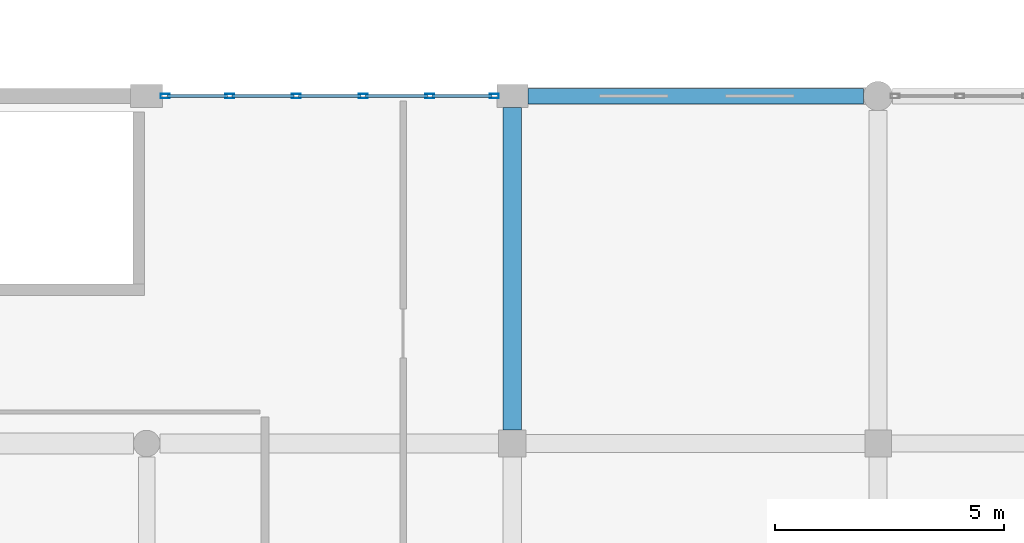
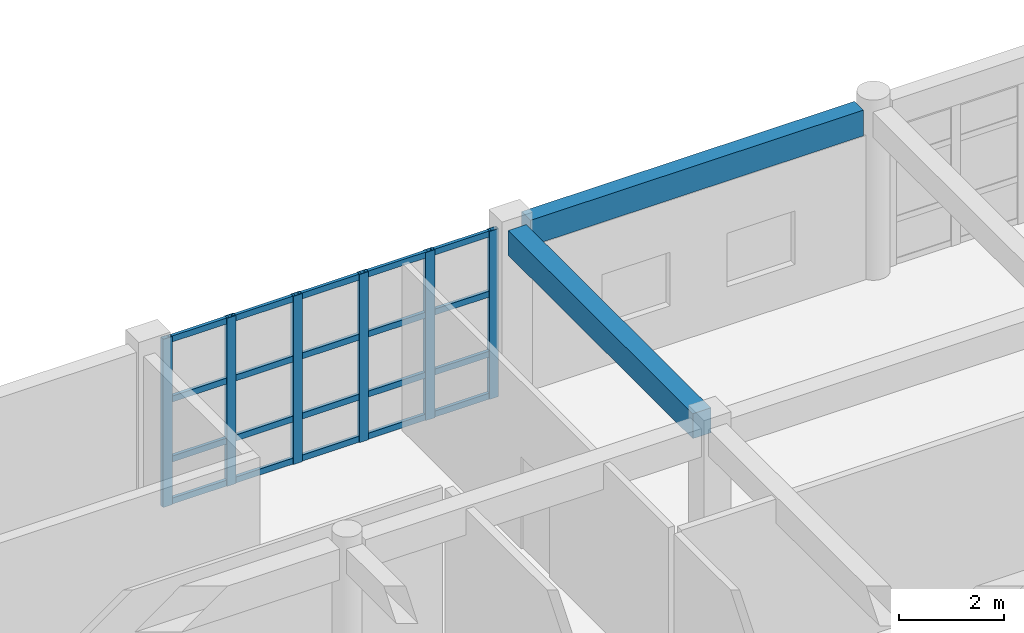
# One storey, part 67 of 121: 26 members, 2 beams, 1 element without a shape of its own.
"""IFC4 building model written with IfcOpenShell, lengths in metres."""

import ifcopenshell
import ifcopenshell.guid

model = None  # the IFC model being written
_history = None  # IfcOwnerHistory: only IFC2X3 demands one
_inside = {}  # id of a spatial element -> (the spatial element, [elements in it])
_under = {}  # id of a project, library or spatial element -> (it, [spatial elements below it])
_declared = {}  # id of a project -> (the project, [libraries it declares])
_typed = {}  # id of a type object -> (the type object, [elements of that type])
_made_of = {}  # id of a material, layer set ... -> (it, [elements and type objects made of it])


def new_model(schema):
    """Start an empty IFC model of exactly this schema.

    Asked for "IFC4X3", IfcOpenShell would pick the latest addendum, in which some entities
    have other attributes; the version numbers below select the first issue.
    IFC2X3 requires an IfcOwnerHistory on every rooted entity: one is made here for all.
    """
    global model, _history
    if schema == "IFC4X3":
        model = ifcopenshell.file(schema_version=(4, 3, 0, 0))
    else:
        model = ifcopenshell.file(schema=schema)
    _inside.clear()
    _under.clear()
    _declared.clear()
    _typed.clear()
    _made_of.clear()
    _history = None
    if model.schema == "IFC2X3":
        org = make("IfcOrganization", Name="unknown")
        user = make(
            "IfcPersonAndOrganization",
            ThePerson=make("IfcPerson", FamilyName="unknown"),
            TheOrganization=org,
        )
        app = make(
            "IfcApplication",
            ApplicationDeveloper=org,
            Version="unknown",
            ApplicationFullName="unknown",
            ApplicationIdentifier="unknown",
        )
        _history = make(
            "IfcOwnerHistory",
            OwningUser=user,
            OwningApplication=app,
            ChangeAction="ADDED",
            CreationDate=0,
        )
    return model


def make(cls, **values):
    """One entity of the class cls with the attributes given. An attribute that is None is left unset."""
    return model.create_entity(
        cls, **{name: value for name, value in values.items() if value is not None}
    )


def rooted(cls, **values):
    """An entity with a GlobalId (a new one), such as an element, a storey or a relation."""
    return make(cls, GlobalId=ifcopenshell.guid.new(), OwnerHistory=_history, **values)


def si_unit(unit_type, name, prefix=None):
    """IfcSIUnit, for example si_unit("LENGTHUNIT", "METRE", prefix="MILLI")."""
    return make("IfcSIUnit", UnitType=unit_type, Prefix=prefix, Name=name)


def assignment(units):
    """IfcUnitAssignment: the units of a project."""
    return None if units is None else make("IfcUnitAssignment", Units=units)


def point(xyz):
    """IfcCartesianPoint."""
    return None if xyz is None else make("IfcCartesianPoint", Coordinates=xyz)


def direction(xyz):
    """IfcDirection."""
    return None if xyz is None else make("IfcDirection", DirectionRatios=xyz)


def frame(location, z_axis=None, x_axis=None):
    """IfcAxis2Placement3D, a coordinate frame: its origin and axes. An axis left out is left unset."""
    return make(
        "IfcAxis2Placement3D",
        Location=point(location),
        Axis=direction(z_axis),
        RefDirection=direction(x_axis),
    )


def frame_2d(location, x_axis=None):
    """IfcAxis2Placement2D, a coordinate frame in the plane: its origin and x axis."""
    return make(
        "IfcAxis2Placement2D", Location=point(location), RefDirection=direction(x_axis)
    )


def origin():
    """The frame at (0, 0, 0) with its axes left unset."""
    return frame((0.0, 0.0, 0.0))


def origin_2d():
    """The frame at (0, 0) in the plane with its x axis left unset."""
    return frame_2d((0.0, 0.0))


def place(relative_to, where):
    """IfcLocalPlacement: puts the frame where relative to a parent placement (None: the world)."""
    return make(
        "IfcLocalPlacement", PlacementRelTo=relative_to, RelativePlacement=where
    )


def context(
    kind, dimensions, precision=None, world=None, true_north=None, identifier=None
):
    """IfcGeometricRepresentationContext, for example the 3D "Model" context."""
    return make(
        "IfcGeometricRepresentationContext",
        ContextIdentifier=identifier,
        ContextType=kind,
        CoordinateSpaceDimension=dimensions,
        Precision=precision,
        WorldCoordinateSystem=world,
        TrueNorth=true_north,
    )


def subcontext(parent, identifier, kind, view, scale=None):
    """IfcGeometricRepresentationSubContext, for example "Body" below "Model"."""
    return make(
        "IfcGeometricRepresentationSubContext",
        ContextIdentifier=identifier,
        ContextType=kind,
        ParentContext=parent,
        TargetScale=scale,
        TargetView=view,
    )


def project(units=None, contexts=None):
    """IfcProject with its units and contexts."""
    return rooted(
        "IfcProject",
        Name="project",
        RepresentationContexts=contexts,
        UnitsInContext=assignment(units),
    )


def spatial(cls, under=None, at=None, **own):
    """A site, building, storey or space (cls), placed at a placement, below another one or the project."""
    s = rooted(cls, ObjectPlacement=at, **own)
    if under is not None:
        _under.setdefault(under.id(), (under, []))[1].append(s)
    return s


def profile(cls, at=None, kind="AREA", **sizes):
    """A parametric profile (cls). Its sizes go by their IFC names, for example OverallWidth=200.0."""
    return make(cls, ProfileType=kind, Position=at, **sizes)


def rectangle(**sizes):
    """IfcRectangleProfileDef."""
    return profile("IfcRectangleProfileDef", **sizes)


def hollow_rectangle(**sizes):
    """IfcRectangleHollowProfileDef."""
    return profile("IfcRectangleHollowProfileDef", **sizes)


def extrude(swept, where, along, depth):
    """IfcExtrudedAreaSolid: the profile swept, set in the frame where, extruded along a direction by depth."""
    return make(
        "IfcExtrudedAreaSolid",
        SweptArea=swept,
        Position=where,
        ExtrudedDirection=direction(along),
        Depth=depth,
    )


def shape(context_of_items, identifier, shape_type, items):
    """IfcShapeRepresentation: the items that make up one representation, for example the "Body"."""
    return make(
        "IfcShapeRepresentation",
        ContextOfItems=context_of_items,
        RepresentationIdentifier=identifier,
        RepresentationType=shape_type,
        Items=items,
    )


def material(Name=None, Category=None):
    """IfcMaterial."""
    return make("IfcMaterial", Name=Name, Category=Category)


def material_profile(
    of_material, cross_section, Name=None, Category=None, Priority=None
):
    """IfcMaterialProfile: a cross section and its material."""
    return make(
        "IfcMaterialProfile",
        Name=Name,
        Material=of_material,
        Profile=cross_section,
        Priority=Priority,
        Category=Category,
    )


def profile_set(profiles, Name=None, composite=None):
    """IfcMaterialProfileSet."""
    return make(
        "IfcMaterialProfileSet",
        Name=Name,
        MaterialProfiles=profiles,
        CompositeProfile=composite,
    )


def made_of(thing, what):
    """Note that an element or type object is made of a material, layer set ...; save() writes the relation."""
    if what is not None:
        _made_of.setdefault(what.id(), (what, []))[1].append(thing)
    return thing


def type_object(cls, material=None, **own):
    """A type object (cls), such as IfcWallType, which elements share."""
    return made_of(rooted(cls, **own), material)


def element(
    cls,
    number,
    at=None,
    inside=None,
    cuts=None,
    type_object=None,
    material=None,
    context=None,
    identifier="Body",
    shape_type=None,
    held_by="IfcProductDefinitionShape",
    body=None,
    shapes=None,
    **own,
):
    """One element of the class cls, such as IfcWall. Its Tag is "e" and its number.

    at: its placement. inside: the storey or other place that contains it. cuts: it is an
    opening in that element (IfcRelVoidsElement). A single representation is given by context,
    identifier, shape_type and body (its items); several are given by shapes. held_by: the class
    of the entity that holds the representations. save() writes the other relations.
    """
    e = rooted(cls, Tag="e%d" % number, ObjectPlacement=at, **own)
    if body is not None:
        shapes = [shape(context, identifier, shape_type, body)]
    if shapes is not None:
        e.Representation = make(held_by, Representations=shapes)
    if inside is not None:
        _inside.setdefault(inside.id(), (inside, []))[1].append(e)
    if cuts is not None:
        rooted(
            "IfcRelVoidsElement", RelatingBuildingElement=cuts, RelatedOpeningElement=e
        )
    if type_object is not None:
        _typed.setdefault(type_object.id(), (type_object, []))[1].append(e)
    return made_of(e, material)


def aggregate(whole, parts):
    """IfcRelAggregates: a whole, such as a stair, and the parts it consists of."""
    return rooted("IfcRelAggregates", RelatingObject=whole, RelatedObjects=parts)


def save(model, path):
    """Write the relations noted so far, then the file.

    IfcRelAggregates (storeys below a building ...), IfcRelContainedInSpatialStructure (elements
    in a storey), IfcRelDefinesByType, IfcRelAssociatesMaterial and IfcRelDeclares: one each for
    every whole, place, type object, material and project.
    """
    for whole, parts in _under.values():
        aggregate(whole, parts)
    for where, things in _inside.values():
        rooted(
            "IfcRelContainedInSpatialStructure",
            RelatedElements=things,
            RelatingStructure=where,
        )
    for kind, things in _typed.values():
        rooted("IfcRelDefinesByType", RelatedObjects=things, RelatingType=kind)
    for what, things in _made_of.values():
        rooted("IfcRelAssociatesMaterial", RelatedObjects=things, RelatingMaterial=what)
    for by, libraries in _declared.values():
        rooted("IfcRelDeclares", RelatingContext=by, RelatedDefinitions=libraries)
    model.write(path)


model = new_model("IFC4")

# Units and contexts
model_context = context("Model", 3, precision=1e-05, world=origin(), true_north=direction((0.0, 1.0)))
body_context = subcontext(model_context, "Body", "Model", "MODEL_VIEW")
ifc_project = project(units=[si_unit("LENGTHUNIT", "METRE"), si_unit("AREAUNIT", "SQUARE_METRE"), si_unit("VOLUMEUNIT", "CUBIC_METRE"), si_unit("PLANEANGLEUNIT", "RADIAN"), si_unit("MASSUNIT", "GRAM", prefix="KILO")], contexts=[model_context])

# Site, building, storey
site_placement = place(None, origin())
site = spatial("IfcSite", under=ifc_project, at=site_placement, CompositionType="ELEMENT")
building_placement = place(site_placement, origin())
building = spatial("IfcBuilding", under=site, at=building_placement, Name="Kharva Crest Polytechnic", CompositionType="ELEMENT")
storey_placement = place(building_placement, frame((0.0, 0.0, 13.199951171875)))
storey = spatial("IfcBuildingStorey", under=building, at=storey_placement, Name="L03", CompositionType="ELEMENT", Elevation=13.199951171875)

# Beam
ifc_material_1 = material(Name="Concrete C35/45", Category="concrete")
ifc_material_profile_1 = material_profile(ifc_material_1, rectangle(XDim=0.39990234375, YDim=0.580078125, at=origin_2d()), Name="RECT 400 X 580")
ifc_profile_set_1 = profile_set([ifc_material_profile_1], Name="Concrete C35/45")
beam_type_1 = type_object("IfcBeamType", Name="BM-RC-400X580", PredefinedType="BEAM", material=ifc_profile_set_1)
beam_1_placement = place(storey_placement, frame((136.800048828125, 23.10009765625, 3.670166015625), z_axis=(0.0, 1.0, 0.0), x_axis=(-1.0, 0.0, 0.0)))
element("IfcBeam", 1, at=beam_1_placement, inside=storey, type_object=beam_type_1, Name="L03 Girder 18/D-E", PredefinedType="BEAM", context=body_context, shape_type="SweptSolid", body=[
    extrude(rectangle(XDim=0.39990234375, YDim=0.580078125, at=origin_2d()), origin(), (0.0, 0.0, 1.0), 7.0498046875),
])

# Curtain wall, members
ifc_material_2 = material(Name="Tempered insulated glass", Category="glass")
curtain_wall_type = type_object("IfcCurtainWallType", Name="CW-SYS-REFECTORY", PredefinedType="USERDEFINED", material=ifc_material_2)
curtain_wall_placement = place(storey_placement, origin())
curtain_wall = element("IfcCurtainWall", 2, at=curtain_wall_placement, inside=storey, type_object=curtain_wall_type, Name="L03 Glazed Curtain Wall CW-144", ObjectType="CURTAIN WALL", PredefinedType="USERDEFINED")
ifc_material_3 = material(Name="Steel S355", Category="steel")
ifc_material_profile_2 = material_profile(ifc_material_3, hollow_rectangle(XDim=0.10009765625, YDim=0.199951171875, WallThickness=0.00634765625, at=origin_2d()), Name="RHS 200X100X6.3")
ifc_profile_set_2 = profile_set([ifc_material_profile_2], Name="Steel S355")
member_type_1 = type_object("IfcMemberType", Name="CWM-RHS200X100", PredefinedType="MULLION", material=ifc_profile_set_2)
member_1_placement = place(storey_placement, frame((136.405029296875, 30.39990234375, 0.0), z_axis=(0.0, 0.0, 1.0), x_axis=(0.0, -1.0, 0.0)))
member_1 = element("IfcMember", 3, at=member_1_placement, type_object=member_type_1, Name="CW-144 mullion 1", PredefinedType="MULLION", context=body_context, shape_type="SweptSolid", body=[
    extrude(hollow_rectangle(XDim=0.10009765625, YDim=0.199951171875, WallThickness=0.00634765625, at=origin_2d()), origin(), (0.0, 0.0, 1.0), 3.920166015625),
])
member_2_placement = place(storey_placement, frame((134.9951171875, 30.39990234375, 0.0), z_axis=(0.0, 0.0, 1.0), x_axis=(0.0, -1.0, 0.0)))
member_2 = element("IfcMember", 4, at=member_2_placement, type_object=member_type_1, Name="CW-144 mullion 2", PredefinedType="MULLION", context=body_context, shape_type="SweptSolid", body=[
    extrude(hollow_rectangle(XDim=0.10009765625, YDim=0.199951171875, WallThickness=0.00634765625, at=origin_2d()), origin(), (0.0, 0.0, 1.0), 3.920166015625),
])
member_3_placement = place(storey_placement, frame((133.534912109375, 30.39990234375, 0.0), z_axis=(0.0, 0.0, 1.0), x_axis=(0.0, -1.0, 0.0)))
member_3 = element("IfcMember", 5, at=member_3_placement, type_object=member_type_1, Name="CW-144 mullion 3", PredefinedType="MULLION", context=body_context, shape_type="SweptSolid", body=[
    extrude(hollow_rectangle(XDim=0.10009765625, YDim=0.199951171875, WallThickness=0.00634765625, at=origin_2d()), origin(), (0.0, 0.0, 1.0), 3.920166015625),
])
member_4_placement = place(storey_placement, frame((132.074951171875, 30.39990234375, 0.0), z_axis=(0.0, 0.0, 1.0), x_axis=(0.0, -1.0, 0.0)))
member_4 = element("IfcMember", 6, at=member_4_placement, type_object=member_type_1, Name="CW-144 mullion 4", PredefinedType="MULLION", context=body_context, shape_type="SweptSolid", body=[
    extrude(hollow_rectangle(XDim=0.10009765625, YDim=0.199951171875, WallThickness=0.00634765625, at=origin_2d()), origin(), (0.0, 0.0, 1.0), 3.920166015625),
])
member_5_placement = place(storey_placement, frame((130.614990234375, 30.39990234375, 0.0), z_axis=(0.0, 0.0, 1.0), x_axis=(0.0, -1.0, 0.0)))
member_5 = element("IfcMember", 7, at=member_5_placement, type_object=member_type_1, Name="CW-144 mullion 5", PredefinedType="MULLION", context=body_context, shape_type="SweptSolid", body=[
    extrude(hollow_rectangle(XDim=0.10009765625, YDim=0.199951171875, WallThickness=0.00634765625, at=origin_2d()), origin(), (0.0, 0.0, 1.0), 3.920166015625),
])
member_6_placement = place(storey_placement, frame((129.205078125, 30.39990234375, 0.0), z_axis=(0.0, 0.0, 1.0), x_axis=(0.0, -1.0, 0.0)))
member_6 = element("IfcMember", 8, at=member_6_placement, type_object=member_type_1, Name="CW-144 mullion 6", PredefinedType="MULLION", context=body_context, shape_type="SweptSolid", body=[
    extrude(hollow_rectangle(XDim=0.10009765625, YDim=0.199951171875, WallThickness=0.00634765625, at=origin_2d()), origin(), (0.0, 0.0, 1.0), 3.920166015625),
])
ifc_material_profile_3 = material_profile(ifc_material_3, hollow_rectangle(XDim=0.070068359375, YDim=0.139892578125, WallThickness=0.00390625, at=origin_2d()), Name="RHS 140X70X4.0")
ifc_profile_set_3 = profile_set([ifc_material_profile_3], Name="Steel S355")
member_type_2 = type_object("IfcMemberType", Name="CWT-RHS140X70", PredefinedType="USERDEFINED", material=ifc_profile_set_3)
member_7_placement = place(storey_placement, frame((136.35498046875, 30.39990234375, 0.070068359375), z_axis=(-1.0, 0.0, 0.0), x_axis=(0.0, -1.0, 0.0)))
member_7 = element("IfcMember", 9, at=member_7_placement, type_object=member_type_2, Name="CW-144 transom 1.1", ObjectType="TRANSOM", PredefinedType="USERDEFINED", context=body_context, shape_type="SweptSolid", body=[
    extrude(hollow_rectangle(XDim=0.070068359375, YDim=0.139892578125, WallThickness=0.00390625, at=origin_2d()), origin(), (0.0, 0.0, 1.0), 1.31005859375),
])
member_8_placement = place(storey_placement, frame((136.35498046875, 30.39990234375, 1.050048828125), z_axis=(-1.0, 0.0, 0.0), x_axis=(0.0, -1.0, 0.0)))
member_8 = element("IfcMember", 10, at=member_8_placement, type_object=member_type_2, Name="CW-144 transom 1.2", ObjectType="TRANSOM", PredefinedType="USERDEFINED", context=body_context, shape_type="SweptSolid", body=[
    extrude(hollow_rectangle(XDim=0.070068359375, YDim=0.139892578125, WallThickness=0.00390625, at=origin_2d()), origin(), (0.0, 0.0, 1.0), 1.31005859375),
])
member_9_placement = place(storey_placement, frame((136.35498046875, 30.39990234375, 2.449951171875), z_axis=(-1.0, 0.0, 0.0), x_axis=(0.0, -1.0, 0.0)))
member_9 = element("IfcMember", 11, at=member_9_placement, type_object=member_type_2, Name="CW-144 transom 1.3", ObjectType="TRANSOM", PredefinedType="USERDEFINED", context=body_context, shape_type="SweptSolid", body=[
    extrude(hollow_rectangle(XDim=0.070068359375, YDim=0.139892578125, WallThickness=0.00390625, at=origin_2d()), origin(), (0.0, 0.0, 1.0), 1.31005859375),
])
member_10_placement = place(storey_placement, frame((136.35498046875, 30.39990234375, 3.85009765625), z_axis=(-1.0, 0.0, 0.0), x_axis=(0.0, -1.0, 0.0)))
member_10 = element("IfcMember", 12, at=member_10_placement, type_object=member_type_2, Name="CW-144 transom 1.4", ObjectType="TRANSOM", PredefinedType="USERDEFINED", context=body_context, shape_type="SweptSolid", body=[
    extrude(hollow_rectangle(XDim=0.070068359375, YDim=0.139892578125, WallThickness=0.00390625, at=origin_2d()), origin(), (0.0, 0.0, 1.0), 1.31005859375),
])
member_11_placement = place(storey_placement, frame((134.945068359375, 30.39990234375, 0.070068359375), z_axis=(-1.0, 0.0, 0.0), x_axis=(0.0, -1.0, 0.0)))
member_11 = element("IfcMember", 13, at=member_11_placement, type_object=member_type_2, Name="CW-144 transom 2.1", ObjectType="TRANSOM", PredefinedType="USERDEFINED", context=body_context, shape_type="SweptSolid", body=[
    extrude(hollow_rectangle(XDim=0.070068359375, YDim=0.139892578125, WallThickness=0.00390625, at=origin_2d()), origin(), (0.0, 0.0, 1.0), 1.360107421875),
])
member_12_placement = place(storey_placement, frame((134.945068359375, 30.39990234375, 1.050048828125), z_axis=(-1.0, 0.0, 0.0), x_axis=(0.0, -1.0, 0.0)))
member_12 = element("IfcMember", 14, at=member_12_placement, type_object=member_type_2, Name="CW-144 transom 2.2", ObjectType="TRANSOM", PredefinedType="USERDEFINED", context=body_context, shape_type="SweptSolid", body=[
    extrude(hollow_rectangle(XDim=0.070068359375, YDim=0.139892578125, WallThickness=0.00390625, at=origin_2d()), origin(), (0.0, 0.0, 1.0), 1.360107421875),
])
member_13_placement = place(storey_placement, frame((134.945068359375, 30.39990234375, 2.449951171875), z_axis=(-1.0, 0.0, 0.0), x_axis=(0.0, -1.0, 0.0)))
member_13 = element("IfcMember", 15, at=member_13_placement, type_object=member_type_2, Name="CW-144 transom 2.3", ObjectType="TRANSOM", PredefinedType="USERDEFINED", context=body_context, shape_type="SweptSolid", body=[
    extrude(hollow_rectangle(XDim=0.070068359375, YDim=0.139892578125, WallThickness=0.00390625, at=origin_2d()), origin(), (0.0, 0.0, 1.0), 1.360107421875),
])
member_14_placement = place(storey_placement, frame((134.945068359375, 30.39990234375, 3.85009765625), z_axis=(-1.0, 0.0, 0.0), x_axis=(0.0, -1.0, 0.0)))
member_14 = element("IfcMember", 16, at=member_14_placement, type_object=member_type_2, Name="CW-144 transom 2.4", ObjectType="TRANSOM", PredefinedType="USERDEFINED", context=body_context, shape_type="SweptSolid", body=[
    extrude(hollow_rectangle(XDim=0.070068359375, YDim=0.139892578125, WallThickness=0.00390625, at=origin_2d()), origin(), (0.0, 0.0, 1.0), 1.360107421875),
])
member_15_placement = place(storey_placement, frame((133.485107421875, 30.39990234375, 0.070068359375), z_axis=(-1.0, 0.0, 0.0), x_axis=(0.0, -1.0, 0.0)))
member_15 = element("IfcMember", 17, at=member_15_placement, type_object=member_type_2, Name="CW-144 transom 3.1", ObjectType="TRANSOM", PredefinedType="USERDEFINED", context=body_context, shape_type="SweptSolid", body=[
    extrude(hollow_rectangle(XDim=0.070068359375, YDim=0.139892578125, WallThickness=0.00390625, at=origin_2d()), origin(), (0.0, 0.0, 1.0), 1.360107421875),
])
member_16_placement = place(storey_placement, frame((133.485107421875, 30.39990234375, 1.050048828125), z_axis=(-1.0, 0.0, 0.0), x_axis=(0.0, -1.0, 0.0)))
member_16 = element("IfcMember", 18, at=member_16_placement, type_object=member_type_2, Name="CW-144 transom 3.2", ObjectType="TRANSOM", PredefinedType="USERDEFINED", context=body_context, shape_type="SweptSolid", body=[
    extrude(hollow_rectangle(XDim=0.070068359375, YDim=0.139892578125, WallThickness=0.00390625, at=origin_2d()), origin(), (0.0, 0.0, 1.0), 1.360107421875),
])
member_17_placement = place(storey_placement, frame((133.485107421875, 30.39990234375, 2.449951171875), z_axis=(-1.0, 0.0, 0.0), x_axis=(0.0, -1.0, 0.0)))
member_17 = element("IfcMember", 19, at=member_17_placement, type_object=member_type_2, Name="CW-144 transom 3.3", ObjectType="TRANSOM", PredefinedType="USERDEFINED", context=body_context, shape_type="SweptSolid", body=[
    extrude(hollow_rectangle(XDim=0.070068359375, YDim=0.139892578125, WallThickness=0.00390625, at=origin_2d()), origin(), (0.0, 0.0, 1.0), 1.360107421875),
])
member_18_placement = place(storey_placement, frame((133.485107421875, 30.39990234375, 3.85009765625), z_axis=(-1.0, 0.0, 0.0), x_axis=(0.0, -1.0, 0.0)))
member_18 = element("IfcMember", 20, at=member_18_placement, type_object=member_type_2, Name="CW-144 transom 3.4", ObjectType="TRANSOM", PredefinedType="USERDEFINED", context=body_context, shape_type="SweptSolid", body=[
    extrude(hollow_rectangle(XDim=0.070068359375, YDim=0.139892578125, WallThickness=0.00390625, at=origin_2d()), origin(), (0.0, 0.0, 1.0), 1.360107421875),
])
member_19_placement = place(storey_placement, frame((132.02490234375, 30.39990234375, 0.070068359375), z_axis=(-1.0, 0.0, 0.0), x_axis=(0.0, -1.0, 0.0)))
member_19 = element("IfcMember", 21, at=member_19_placement, type_object=member_type_2, Name="CW-144 transom 4.1", ObjectType="TRANSOM", PredefinedType="USERDEFINED", context=body_context, shape_type="SweptSolid", body=[
    extrude(hollow_rectangle(XDim=0.070068359375, YDim=0.139892578125, WallThickness=0.00390625, at=origin_2d()), origin(), (0.0, 0.0, 1.0), 1.35986328125),
])
member_20_placement = place(storey_placement, frame((132.02490234375, 30.39990234375, 1.050048828125), z_axis=(-1.0, 0.0, 0.0), x_axis=(0.0, -1.0, 0.0)))
member_20 = element("IfcMember", 22, at=member_20_placement, type_object=member_type_2, Name="CW-144 transom 4.2", ObjectType="TRANSOM", PredefinedType="USERDEFINED", context=body_context, shape_type="SweptSolid", body=[
    extrude(hollow_rectangle(XDim=0.070068359375, YDim=0.139892578125, WallThickness=0.00390625, at=origin_2d()), origin(), (0.0, 0.0, 1.0), 1.35986328125),
])
member_21_placement = place(storey_placement, frame((132.02490234375, 30.39990234375, 2.449951171875), z_axis=(-1.0, 0.0, 0.0), x_axis=(0.0, -1.0, 0.0)))
member_21 = element("IfcMember", 23, at=member_21_placement, type_object=member_type_2, Name="CW-144 transom 4.3", ObjectType="TRANSOM", PredefinedType="USERDEFINED", context=body_context, shape_type="SweptSolid", body=[
    extrude(hollow_rectangle(XDim=0.070068359375, YDim=0.139892578125, WallThickness=0.00390625, at=origin_2d()), origin(), (0.0, 0.0, 1.0), 1.35986328125),
])
member_22_placement = place(storey_placement, frame((132.02490234375, 30.39990234375, 3.85009765625), z_axis=(-1.0, 0.0, 0.0), x_axis=(0.0, -1.0, 0.0)))
member_22 = element("IfcMember", 24, at=member_22_placement, type_object=member_type_2, Name="CW-144 transom 4.4", ObjectType="TRANSOM", PredefinedType="USERDEFINED", context=body_context, shape_type="SweptSolid", body=[
    extrude(hollow_rectangle(XDim=0.070068359375, YDim=0.139892578125, WallThickness=0.00390625, at=origin_2d()), origin(), (0.0, 0.0, 1.0), 1.35986328125),
])
member_23_placement = place(storey_placement, frame((130.56494140625, 30.39990234375, 0.070068359375), z_axis=(-1.0, 0.0, 0.0), x_axis=(0.0, -1.0, 0.0)))
member_23 = element("IfcMember", 25, at=member_23_placement, type_object=member_type_2, Name="CW-144 transom 5.1", ObjectType="TRANSOM", PredefinedType="USERDEFINED", context=body_context, shape_type="SweptSolid", body=[
    extrude(hollow_rectangle(XDim=0.070068359375, YDim=0.139892578125, WallThickness=0.00390625, at=origin_2d()), origin(), (0.0, 0.0, 1.0), 1.31005859375),
])
member_24_placement = place(storey_placement, frame((130.56494140625, 30.39990234375, 1.050048828125), z_axis=(-1.0, 0.0, 0.0), x_axis=(0.0, -1.0, 0.0)))
member_24 = element("IfcMember", 26, at=member_24_placement, type_object=member_type_2, Name="CW-144 transom 5.2", ObjectType="TRANSOM", PredefinedType="USERDEFINED", context=body_context, shape_type="SweptSolid", body=[
    extrude(hollow_rectangle(XDim=0.070068359375, YDim=0.139892578125, WallThickness=0.00390625, at=origin_2d()), origin(), (0.0, 0.0, 1.0), 1.31005859375),
])
member_25_placement = place(storey_placement, frame((130.56494140625, 30.39990234375, 2.449951171875), z_axis=(-1.0, 0.0, 0.0), x_axis=(0.0, -1.0, 0.0)))
member_25 = element("IfcMember", 27, at=member_25_placement, type_object=member_type_2, Name="CW-144 transom 5.3", ObjectType="TRANSOM", PredefinedType="USERDEFINED", context=body_context, shape_type="SweptSolid", body=[
    extrude(hollow_rectangle(XDim=0.070068359375, YDim=0.139892578125, WallThickness=0.00390625, at=origin_2d()), origin(), (0.0, 0.0, 1.0), 1.31005859375),
])
member_26_placement = place(storey_placement, frame((130.56494140625, 30.39990234375, 3.85009765625), z_axis=(-1.0, 0.0, 0.0), x_axis=(0.0, -1.0, 0.0)))
member_26 = element("IfcMember", 28, at=member_26_placement, type_object=member_type_2, Name="CW-144 transom 5.4", ObjectType="TRANSOM", PredefinedType="USERDEFINED", context=body_context, shape_type="SweptSolid", body=[
    extrude(hollow_rectangle(XDim=0.070068359375, YDim=0.139892578125, WallThickness=0.00390625, at=origin_2d()), origin(), (0.0, 0.0, 1.0), 1.31005859375),
])
aggregate(curtain_wall, [member_1, member_2, member_3, member_4, member_5, member_6, member_7, member_8, member_9, member_10, member_11, member_12, member_13, member_14, member_15, member_16, member_17, member_18, member_19, member_20, member_21, member_22, member_23, member_24, member_25, member_26])

# Beam
ifc_material_profile_4 = material_profile(ifc_material_1, rectangle(XDim=0.340087890625, YDim=0.60009765625, at=origin_2d()), Name="RECT 340 X 600")
ifc_profile_set_4 = profile_set([ifc_material_profile_4], Name="Concrete C35/45")
beam_type_2 = type_object("IfcBeamType", Name="SP-RC-340X600", PredefinedType="SPANDREL", material=ifc_profile_set_4)
beam_2_placement = place(storey_placement, frame((137.139892578125, 30.39990234375, 3.66015625), z_axis=(1.0, 0.0, 0.0), x_axis=(0.0, 1.0, 0.0)))
element("IfcBeam", 29, at=beam_2_placement, inside=storey, type_object=beam_type_2, Name="L03 Beam E/18-19", PredefinedType="SPANDREL", context=body_context, shape_type="SweptSolid", body=[
    extrude(rectangle(XDim=0.340087890625, YDim=0.60009765625, at=origin_2d()), origin(), (0.0, 0.0, 1.0), 7.340087890625),
])

save(model, "model.ifc")
